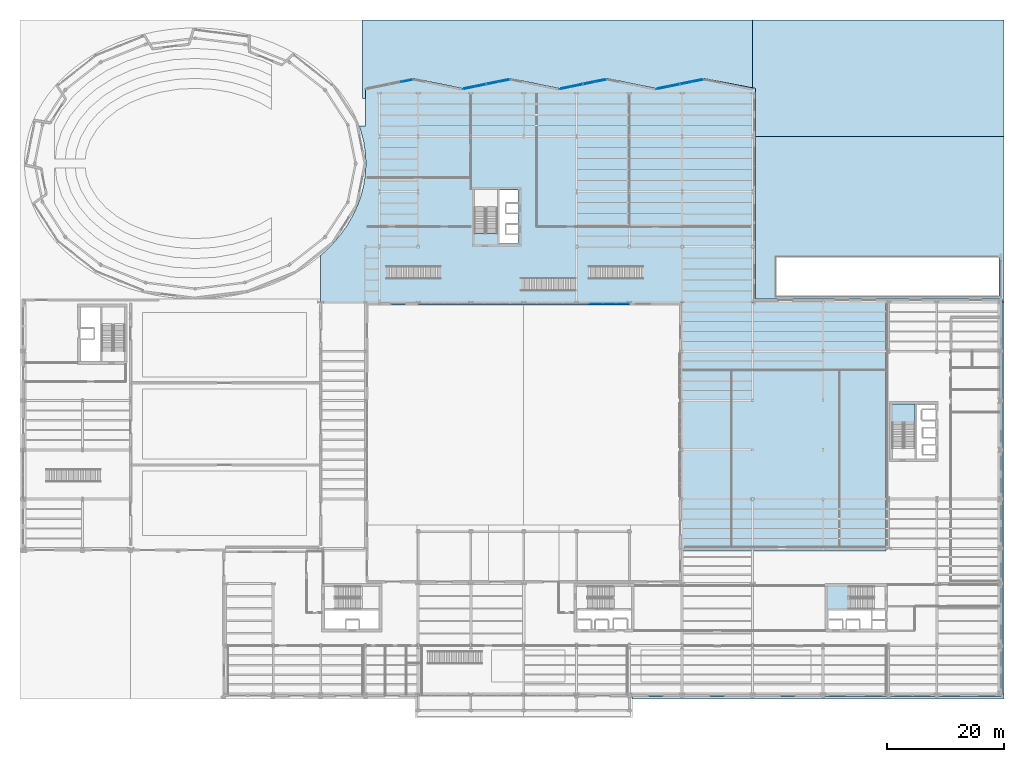
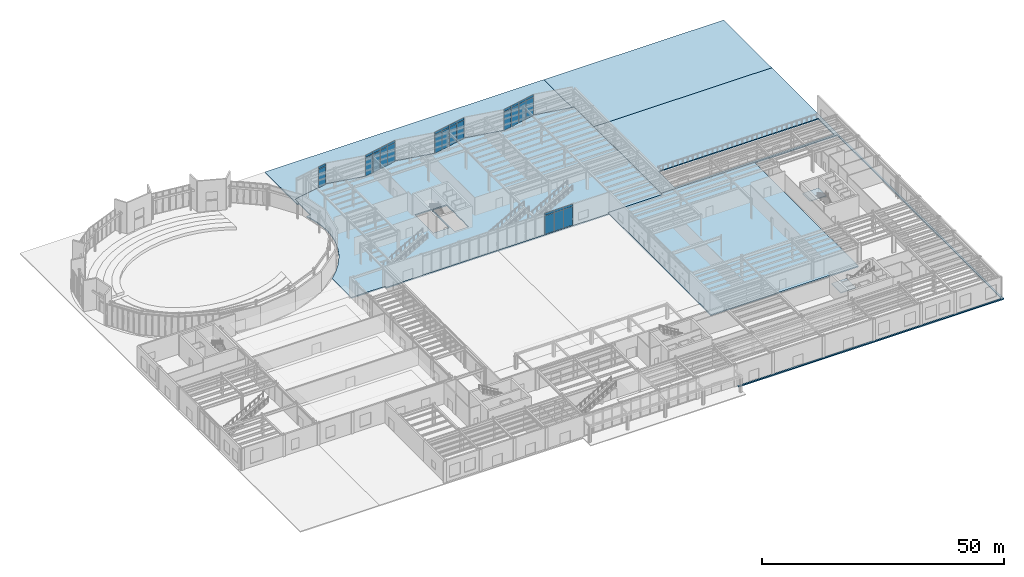
# One storey, part 68 of 94: 35 plates, 9 slabs, 11 elements without a shape of their own.
"""IFC4 building model written with IfcOpenShell, lengths in metres."""

from ifc_helpers import new_model, si_unit, direction, frame, origin, origin_2d, place, context, subcontext, project, spatial, polyline, rectangle, outline, extrude, material, layer, layer_set, type_object, element, aggregate, save


model = new_model("IFC4")

# Units and contexts
model_context = context("Model", 3, precision=1e-05, world=origin(), true_north=direction((0.0, 1.0)))
body_context = subcontext(model_context, "Body", "Model", "MODEL_VIEW")
ifc_project = project(units=[si_unit("LENGTHUNIT", "METRE"), si_unit("AREAUNIT", "SQUARE_METRE"), si_unit("VOLUMEUNIT", "CUBIC_METRE"), si_unit("PLANEANGLEUNIT", "RADIAN"), si_unit("MASSUNIT", "GRAM", prefix="KILO")], contexts=[model_context])

# Site, building, storey
site_placement = place(None, origin())
site = spatial("IfcSite", under=ifc_project, at=site_placement, CompositionType="ELEMENT")
building_placement = place(site_placement, origin())
building = spatial("IfcBuilding", under=site, at=building_placement, Name="Sollismere Congress Hotel", CompositionType="ELEMENT")
storey_placement = place(building_placement, origin())
storey = spatial("IfcBuildingStorey", under=building, at=storey_placement, Name="L00", CompositionType="ELEMENT", Elevation=0.0)

# Curtain wall, plate
ifc_material_1 = material(Name="Anodized Bronze Curtain Wall & Low-E Triple Glazing", Category="glass")
ifc_layer_1 = layer(ifc_material_1, 0.199951171875, Name="Anodized Bronze Curtain Wall & Low-E Triple Glazing")
ifc_layer_set_1 = layer_set([ifc_layer_1], Name="Anodized Bronze Curtain Wall & Low-E Triple Glazing")
curtain_wall_type = type_object("IfcCurtainWallType", Name="CW-GLZ36", PredefinedType="USERDEFINED", material=ifc_layer_set_1)
curtain_wall_1_placement = place(storey_placement, origin())
curtain_wall_1 = element("IfcCurtainWall", 1, at=curtain_wall_1_placement, inside=storey, type_object=curtain_wall_type, Name="Unitised curtain wall CW-L00-066", ObjectType="UNITISED CURTAIN WALL", PredefinedType="USERDEFINED")
ifc_material_2 = material(Name="Blue-Tinted Solar-Control Low-E Vision Glass", Category="glass")
ifc_layer_2 = layer(ifc_material_2, 0.035888671875, Name="Blue-Tinted Solar-Control Low-E Vision Glass")
ifc_layer_set_2 = layer_set([ifc_layer_2], Name="Blue-Tinted Solar-Control Low-E Vision Glass")
plate_type_1 = type_object("IfcPlateType", Name="PL-CWGLZ", PredefinedType="CURTAIN_PANEL", material=ifc_layer_set_2)
plate_1_placement = place(storey_placement, frame((65.11181640625, 104.467041015625, 0.052978515625), z_axis=(0.0, 0.0, 1.0), x_axis=(0.979924704621, 0.199367934417, 0.0)))
plate_1 = element("IfcPlate", 2, at=plate_1_placement, type_object=plate_type_1, Name="CWL-CW-L00-066-VP02", PredefinedType="CURTAIN_PANEL", context=body_context, shape_type="SweptSolid", body=[
    extrude(rectangle(XDim=1.955810546875, YDim=0.035888671875, at=origin_2d()), origin(), (0.0, 0.0, 1.0), 4.60888671875),
])

# Curtain wall, plates
curtain_wall_2_placement = place(storey_placement, origin())
curtain_wall_2 = element("IfcCurtainWall", 3, at=curtain_wall_2_placement, inside=storey, type_object=curtain_wall_type, Name="Unitised curtain wall CW-L00-067", ObjectType="UNITISED CURTAIN WALL", PredefinedType="USERDEFINED")
plate_2_placement = place(storey_placement, frame((75.63818359375, 103.25146484375, 0.052978515625), z_axis=(0.0, 0.0, 1.0), x_axis=(0.979924704621, 0.199367934417, 0.0)))
plate_2 = element("IfcPlate", 4, at=plate_2_placement, type_object=plate_type_1, Name="CWL-CW-L00-067-VP01", PredefinedType="CURTAIN_PANEL", context=body_context, shape_type="SweptSolid", body=[
    extrude(rectangle(XDim=1.955810546875, YDim=0.035888671875, at=origin_2d()), origin(), (0.0, 0.0, 1.0), 4.60888671875),
])
plate_3_placement = place(storey_placement, frame((77.6044921875, 103.651611328125, 0.052978515625), z_axis=(0.0, 0.0, 1.0), x_axis=(0.979924704621, 0.199367934417, 0.0)))
plate_3 = element("IfcPlate", 5, at=plate_3_placement, type_object=plate_type_1, Name="CWL-CW-L00-067-VP02", PredefinedType="CURTAIN_PANEL", context=body_context, shape_type="SweptSolid", body=[
    extrude(rectangle(XDim=1.955810546875, YDim=0.035888671875, at=origin_2d()), origin(), (0.0, 0.0, 1.0), 4.60888671875),
])

curtain_wall_3_placement = place(storey_placement, origin())
curtain_wall_3 = element("IfcCurtainWall", 6, at=curtain_wall_3_placement, inside=storey, type_object=curtain_wall_type, Name="Unitised curtain wall CW-L00-068", ObjectType="UNITISED CURTAIN WALL", PredefinedType="USERDEFINED")
plate_4_placement = place(storey_placement, frame((79.6455078125, 104.06689453125, 0.052978515625), z_axis=(0.0, 0.0, 1.0), x_axis=(0.979924704621, 0.199367934417, 0.0)))
plate_4 = element("IfcPlate", 7, at=plate_4_placement, type_object=plate_type_1, Name="CWL-CW-L00-068-VP01", PredefinedType="CURTAIN_PANEL", context=body_context, shape_type="SweptSolid", body=[
    extrude(rectangle(XDim=1.955810546875, YDim=0.035888671875, at=origin_2d()), origin(), (0.0, 0.0, 1.0), 4.60888671875),
])
plate_5_placement = place(storey_placement, frame((81.61181640625, 104.467041015625, 0.052978515625), z_axis=(0.0, 0.0, 1.0), x_axis=(0.979924704621, 0.199367934417, 0.0)))
plate_5 = element("IfcPlate", 8, at=plate_5_placement, type_object=plate_type_1, Name="CWL-CW-L00-068-VP02", PredefinedType="CURTAIN_PANEL", context=body_context, shape_type="SweptSolid", body=[
    extrude(rectangle(XDim=1.955810546875, YDim=0.035888671875, at=origin_2d()), origin(), (0.0, 0.0, 1.0), 4.60888671875),
])

curtain_wall_4_placement = place(storey_placement, origin())
curtain_wall_4 = element("IfcCurtainWall", 9, at=curtain_wall_4_placement, inside=storey, type_object=curtain_wall_type, Name="Unitised curtain wall CW-L00-069", ObjectType="UNITISED CURTAIN WALL", PredefinedType="USERDEFINED")
plate_6_placement = place(storey_placement, frame((92.13818359375, 103.25146484375, 0.052978515625), z_axis=(0.0, 0.0, 1.0), x_axis=(0.979924704621, 0.199367934417, 0.0)))
plate_6 = element("IfcPlate", 10, at=plate_6_placement, type_object=plate_type_1, Name="CWL-CW-L00-069-VP01", PredefinedType="CURTAIN_PANEL", context=body_context, shape_type="SweptSolid", body=[
    extrude(rectangle(XDim=1.955810546875, YDim=0.035888671875, at=origin_2d()), origin(), (0.0, 0.0, 1.0), 4.60888671875),
])
plate_7_placement = place(storey_placement, frame((94.1044921875, 103.651611328125, 0.052978515625), z_axis=(0.0, 0.0, 1.0), x_axis=(0.979924704621, 0.199367934417, 0.0)))
plate_7 = element("IfcPlate", 11, at=plate_7_placement, type_object=plate_type_1, Name="CWL-CW-L00-069-VP02", PredefinedType="CURTAIN_PANEL", context=body_context, shape_type="SweptSolid", body=[
    extrude(rectangle(XDim=1.955810546875, YDim=0.035888671875, at=origin_2d()), origin(), (0.0, 0.0, 1.0), 4.60888671875),
])

curtain_wall_5_placement = place(storey_placement, origin())
curtain_wall_5 = element("IfcCurtainWall", 12, at=curtain_wall_5_placement, inside=storey, type_object=curtain_wall_type, Name="Unitised curtain wall CW-L00-070", ObjectType="UNITISED CURTAIN WALL", PredefinedType="USERDEFINED")
plate_8_placement = place(storey_placement, frame((96.1455078125, 104.06689453125, 0.052978515625), z_axis=(0.0, 0.0, 1.0), x_axis=(0.979924704621, 0.199367934417, 0.0)))
plate_8 = element("IfcPlate", 13, at=plate_8_placement, type_object=plate_type_1, Name="CWL-CW-L00-070-VP01", PredefinedType="CURTAIN_PANEL", context=body_context, shape_type="SweptSolid", body=[
    extrude(rectangle(XDim=1.955810546875, YDim=0.035888671875, at=origin_2d()), origin(), (0.0, 0.0, 1.0), 4.60888671875),
])
plate_9_placement = place(storey_placement, frame((98.11181640625, 104.467041015625, 0.052978515625), z_axis=(0.0, 0.0, 1.0), x_axis=(0.979924704621, 0.199367934417, 0.0)))
plate_9 = element("IfcPlate", 14, at=plate_9_placement, type_object=plate_type_1, Name="CWL-CW-L00-070-VP02", PredefinedType="CURTAIN_PANEL", context=body_context, shape_type="SweptSolid", body=[
    extrude(rectangle(XDim=1.955810546875, YDim=0.035888671875, at=origin_2d()), origin(), (0.0, 0.0, 1.0), 4.60888671875),
])

curtain_wall_6_placement = place(storey_placement, origin())
curtain_wall_6 = element("IfcCurtainWall", 15, at=curtain_wall_6_placement, inside=storey, type_object=curtain_wall_type, Name="Unitised curtain wall CW-L00-071", ObjectType="UNITISED CURTAIN WALL", PredefinedType="USERDEFINED")
plate_10_placement = place(storey_placement, frame((108.63818359375, 103.25146484375, 0.052978515625), z_axis=(0.0, 0.0, 1.0), x_axis=(0.979924704621, 0.199367934417, 0.0)))
plate_10 = element("IfcPlate", 16, at=plate_10_placement, type_object=plate_type_1, Name="CWL-CW-L00-071-VP01", PredefinedType="CURTAIN_PANEL", context=body_context, shape_type="SweptSolid", body=[
    extrude(rectangle(XDim=1.955810546875, YDim=0.035888671875, at=origin_2d()), origin(), (0.0, 0.0, 1.0), 4.60888671875),
])
plate_11_placement = place(storey_placement, frame((110.6044921875, 103.651611328125, 0.052978515625), z_axis=(0.0, 0.0, 1.0), x_axis=(0.979924704621, 0.199367934417, 0.0)))
plate_11 = element("IfcPlate", 17, at=plate_11_placement, type_object=plate_type_1, Name="CWL-CW-L00-071-VP02", PredefinedType="CURTAIN_PANEL", context=body_context, shape_type="SweptSolid", body=[
    extrude(rectangle(XDim=1.955810546875, YDim=0.035888671875, at=origin_2d()), origin(), (0.0, 0.0, 1.0), 4.60888671875),
])

curtain_wall_7_placement = place(storey_placement, origin())
curtain_wall_7 = element("IfcCurtainWall", 18, at=curtain_wall_7_placement, inside=storey, type_object=curtain_wall_type, Name="Unitised curtain wall CW-L00-072", ObjectType="UNITISED CURTAIN WALL", PredefinedType="USERDEFINED")
plate_12_placement = place(storey_placement, frame((112.6455078125, 104.06689453125, 0.052978515625), z_axis=(0.0, 0.0, 1.0), x_axis=(0.979924704621, 0.199367934417, 0.0)))
plate_12 = element("IfcPlate", 19, at=plate_12_placement, type_object=plate_type_1, Name="CWL-CW-L00-072-VP01", PredefinedType="CURTAIN_PANEL", context=body_context, shape_type="SweptSolid", body=[
    extrude(rectangle(XDim=1.955810546875, YDim=0.035888671875, at=origin_2d()), origin(), (0.0, 0.0, 1.0), 4.60888671875),
])
plate_13_placement = place(storey_placement, frame((114.61181640625, 104.467041015625, 0.052978515625), z_axis=(0.0, 0.0, 1.0), x_axis=(0.979924704621, 0.199367934417, 0.0)))
plate_13 = element("IfcPlate", 20, at=plate_13_placement, type_object=plate_type_1, Name="CWL-CW-L00-072-VP02", PredefinedType="CURTAIN_PANEL", context=body_context, shape_type="SweptSolid", body=[
    extrude(rectangle(XDim=1.955810546875, YDim=0.035888671875, at=origin_2d()), origin(), (0.0, 0.0, 1.0), 4.60888671875),
])

# Curtain wall, plate
curtain_wall_8_placement = place(storey_placement, origin())
curtain_wall_8 = element("IfcCurtainWall", 21, at=curtain_wall_8_placement, inside=storey, type_object=curtain_wall_type, Name="Unitised curtain wall CW-L00-079", ObjectType="UNITISED CURTAIN WALL", PredefinedType="USERDEFINED")
plate_14_placement = place(storey_placement, frame((97.3583984375, 66.489990234375, 0.052978515625), z_axis=(0.0, 0.0, 1.0), x_axis=(1.0, 0.0, 0.0)))
plate_14 = element("IfcPlate", 22, at=plate_14_placement, type_object=plate_type_1, Name="CWL-CW-L00-079-VP02", PredefinedType="CURTAIN_PANEL", context=body_context, shape_type="SweptSolid", body=[
    extrude(rectangle(XDim=2.156005859375, YDim=0.035888671875, at=origin_2d()), origin(), (0.0, 0.0, 1.0), 4.60888671875),
])

# Curtain wall, plates
curtain_wall_9_placement = place(storey_placement, origin())
curtain_wall_9 = element("IfcCurtainWall", 23, at=curtain_wall_9_placement, inside=storey, type_object=curtain_wall_type, Name="Unitised curtain wall CW-L00-080", ObjectType="UNITISED CURTAIN WALL", PredefinedType="USERDEFINED")
plate_15_placement = place(storey_placement, frame((99.6416015625, 66.489990234375, 0.052978515625), z_axis=(0.0, 0.0, 1.0), x_axis=(1.0, 0.0, 0.0)))
plate_15 = element("IfcPlate", 24, at=plate_15_placement, type_object=plate_type_1, Name="CWL-CW-L00-080-VP01", PredefinedType="CURTAIN_PANEL", context=body_context, shape_type="SweptSolid", body=[
    extrude(rectangle(XDim=2.156005859375, YDim=0.035888671875, at=origin_2d()), origin(), (0.0, 0.0, 1.0), 4.60888671875),
])
plate_16_placement = place(storey_placement, frame((101.848388671875, 66.489990234375, 0.052978515625), z_axis=(0.0, 0.0, 1.0), x_axis=(1.0, 0.0, 0.0)))
plate_16 = element("IfcPlate", 25, at=plate_16_placement, type_object=plate_type_1, Name="CWL-CW-L00-080-VP02", PredefinedType="CURTAIN_PANEL", context=body_context, shape_type="SweptSolid", body=[
    extrude(rectangle(XDim=2.156005859375, YDim=0.035888671875, at=origin_2d()), origin(), (0.0, 0.0, 1.0), 4.60888671875),
])

# Plate
ifc_material_3 = material(Name="Anodized Bronze Insulated Spandrel Panel")
ifc_layer_3 = layer(ifc_material_3, 0.044921875, Name="Anodized Bronze Insulated Spandrel Panel")
ifc_layer_set_3 = layer_set([ifc_layer_3], Name="Anodized Bronze Insulated Spandrel Panel")
plate_type_2 = type_object("IfcPlateType", Name="PL-CWSPN", PredefinedType="SHEET", material=ifc_layer_set_3)
plate_17_placement = place(storey_placement, frame((65.11181640625, 104.467041015625, 4.77783203125), z_axis=(0.0, 0.0, 1.0), x_axis=(0.979924704621, 0.199367934417, 0.0)))
plate_17 = element("IfcPlate", 26, at=plate_17_placement, type_object=plate_type_2, Name="CWL-CW-L00-066-SP02", PredefinedType="SHEET", context=body_context, shape_type="SweptSolid", body=[
    extrude(rectangle(XDim=1.955810546875, YDim=0.044921875, at=origin_2d()), origin(), (0.0, 0.0, 1.0), 0.569091796875),
])

aggregate(curtain_wall_1, [plate_1, plate_17])

plate_18_placement = place(storey_placement, frame((75.63818359375, 103.25146484375, 4.77783203125), z_axis=(0.0, 0.0, 1.0), x_axis=(0.979924704621, 0.199367934417, 0.0)))
plate_18 = element("IfcPlate", 27, at=plate_18_placement, type_object=plate_type_2, Name="CWL-CW-L00-067-SP01", PredefinedType="SHEET", context=body_context, shape_type="SweptSolid", body=[
    extrude(rectangle(XDim=1.955810546875, YDim=0.044921875, at=origin_2d()), origin(), (0.0, 0.0, 1.0), 0.569091796875),
])

plate_19_placement = place(storey_placement, frame((77.6044921875, 103.651611328125, 4.77783203125), z_axis=(0.0, 0.0, 1.0), x_axis=(0.979924704621, 0.199367934417, 0.0)))
plate_19 = element("IfcPlate", 28, at=plate_19_placement, type_object=plate_type_2, Name="CWL-CW-L00-067-SP02", PredefinedType="SHEET", context=body_context, shape_type="SweptSolid", body=[
    extrude(rectangle(XDim=1.955810546875, YDim=0.044921875, at=origin_2d()), origin(), (0.0, 0.0, 1.0), 0.569091796875),
])

aggregate(curtain_wall_2, [plate_2, plate_18, plate_3, plate_19])

plate_20_placement = place(storey_placement, frame((79.6455078125, 104.06689453125, 4.77783203125), z_axis=(0.0, 0.0, 1.0), x_axis=(0.979924704621, 0.199367934417, 0.0)))
plate_20 = element("IfcPlate", 29, at=plate_20_placement, type_object=plate_type_2, Name="CWL-CW-L00-068-SP01", PredefinedType="SHEET", context=body_context, shape_type="SweptSolid", body=[
    extrude(rectangle(XDim=1.955810546875, YDim=0.044921875, at=origin_2d()), origin(), (0.0, 0.0, 1.0), 0.569091796875),
])

plate_21_placement = place(storey_placement, frame((81.61181640625, 104.467041015625, 4.77783203125), z_axis=(0.0, 0.0, 1.0), x_axis=(0.979924704621, 0.199367934417, 0.0)))
plate_21 = element("IfcPlate", 30, at=plate_21_placement, type_object=plate_type_2, Name="CWL-CW-L00-068-SP02", PredefinedType="SHEET", context=body_context, shape_type="SweptSolid", body=[
    extrude(rectangle(XDim=1.955810546875, YDim=0.044921875, at=origin_2d()), origin(), (0.0, 0.0, 1.0), 0.569091796875),
])

aggregate(curtain_wall_3, [plate_4, plate_20, plate_5, plate_21])

plate_22_placement = place(storey_placement, frame((92.13818359375, 103.25146484375, 4.77783203125), z_axis=(0.0, 0.0, 1.0), x_axis=(0.979924704621, 0.199367934417, 0.0)))
plate_22 = element("IfcPlate", 31, at=plate_22_placement, type_object=plate_type_2, Name="CWL-CW-L00-069-SP01", PredefinedType="SHEET", context=body_context, shape_type="SweptSolid", body=[
    extrude(rectangle(XDim=1.955810546875, YDim=0.044921875, at=origin_2d()), origin(), (0.0, 0.0, 1.0), 0.569091796875),
])

plate_23_placement = place(storey_placement, frame((94.1044921875, 103.651611328125, 4.77783203125), z_axis=(0.0, 0.0, 1.0), x_axis=(0.979924704621, 0.199367934417, 0.0)))
plate_23 = element("IfcPlate", 32, at=plate_23_placement, type_object=plate_type_2, Name="CWL-CW-L00-069-SP02", PredefinedType="SHEET", context=body_context, shape_type="SweptSolid", body=[
    extrude(rectangle(XDim=1.955810546875, YDim=0.044921875, at=origin_2d()), origin(), (0.0, 0.0, 1.0), 0.569091796875),
])

aggregate(curtain_wall_4, [plate_6, plate_22, plate_7, plate_23])

plate_24_placement = place(storey_placement, frame((96.1455078125, 104.06689453125, 4.77783203125), z_axis=(0.0, 0.0, 1.0), x_axis=(0.979924704621, 0.199367934417, 0.0)))
plate_24 = element("IfcPlate", 33, at=plate_24_placement, type_object=plate_type_2, Name="CWL-CW-L00-070-SP01", PredefinedType="SHEET", context=body_context, shape_type="SweptSolid", body=[
    extrude(rectangle(XDim=1.955810546875, YDim=0.044921875, at=origin_2d()), origin(), (0.0, 0.0, 1.0), 0.569091796875),
])

plate_25_placement = place(storey_placement, frame((98.11181640625, 104.467041015625, 4.77783203125), z_axis=(0.0, 0.0, 1.0), x_axis=(0.979924704621, 0.199367934417, 0.0)))
plate_25 = element("IfcPlate", 34, at=plate_25_placement, type_object=plate_type_2, Name="CWL-CW-L00-070-SP02", PredefinedType="SHEET", context=body_context, shape_type="SweptSolid", body=[
    extrude(rectangle(XDim=1.955810546875, YDim=0.044921875, at=origin_2d()), origin(), (0.0, 0.0, 1.0), 0.569091796875),
])

aggregate(curtain_wall_5, [plate_8, plate_24, plate_9, plate_25])

plate_26_placement = place(storey_placement, frame((108.63818359375, 103.25146484375, 4.77783203125), z_axis=(0.0, 0.0, 1.0), x_axis=(0.979924704621, 0.199367934417, 0.0)))
plate_26 = element("IfcPlate", 35, at=plate_26_placement, type_object=plate_type_2, Name="CWL-CW-L00-071-SP01", PredefinedType="SHEET", context=body_context, shape_type="SweptSolid", body=[
    extrude(rectangle(XDim=1.955810546875, YDim=0.044921875, at=origin_2d()), origin(), (0.0, 0.0, 1.0), 0.569091796875),
])

plate_27_placement = place(storey_placement, frame((110.6044921875, 103.651611328125, 4.77783203125), z_axis=(0.0, 0.0, 1.0), x_axis=(0.979924704621, 0.199367934417, 0.0)))
plate_27 = element("IfcPlate", 36, at=plate_27_placement, type_object=plate_type_2, Name="CWL-CW-L00-071-SP02", PredefinedType="SHEET", context=body_context, shape_type="SweptSolid", body=[
    extrude(rectangle(XDim=1.955810546875, YDim=0.044921875, at=origin_2d()), origin(), (0.0, 0.0, 1.0), 0.569091796875),
])

aggregate(curtain_wall_6, [plate_10, plate_26, plate_11, plate_27])

plate_28_placement = place(storey_placement, frame((112.6455078125, 104.06689453125, 4.77783203125), z_axis=(0.0, 0.0, 1.0), x_axis=(0.979924704621, 0.199367934417, 0.0)))
plate_28 = element("IfcPlate", 37, at=plate_28_placement, type_object=plate_type_2, Name="CWL-CW-L00-072-SP01", PredefinedType="SHEET", context=body_context, shape_type="SweptSolid", body=[
    extrude(rectangle(XDim=1.955810546875, YDim=0.044921875, at=origin_2d()), origin(), (0.0, 0.0, 1.0), 0.569091796875),
])

plate_29_placement = place(storey_placement, frame((114.61181640625, 104.467041015625, 4.77783203125), z_axis=(0.0, 0.0, 1.0), x_axis=(0.979924704621, 0.199367934417, 0.0)))
plate_29 = element("IfcPlate", 38, at=plate_29_placement, type_object=plate_type_2, Name="CWL-CW-L00-072-SP02", PredefinedType="SHEET", context=body_context, shape_type="SweptSolid", body=[
    extrude(rectangle(XDim=1.955810546875, YDim=0.044921875, at=origin_2d()), origin(), (0.0, 0.0, 1.0), 0.569091796875),
])

aggregate(curtain_wall_7, [plate_12, plate_28, plate_13, plate_29])

plate_30_placement = place(storey_placement, frame((97.3583984375, 66.489990234375, 4.77783203125), z_axis=(0.0, 0.0, 1.0), x_axis=(1.0, 0.0, 0.0)))
plate_30 = element("IfcPlate", 39, at=plate_30_placement, type_object=plate_type_2, Name="CWL-CW-L00-079-SP02", PredefinedType="SHEET", context=body_context, shape_type="SweptSolid", body=[
    extrude(rectangle(XDim=2.156005859375, YDim=0.044921875, at=origin_2d()), origin(), (0.0, 0.0, 1.0), 0.569091796875),
])

aggregate(curtain_wall_8, [plate_14, plate_30])

plate_31_placement = place(storey_placement, frame((99.6416015625, 66.489990234375, 4.77783203125), z_axis=(0.0, 0.0, 1.0), x_axis=(1.0, 0.0, 0.0)))
plate_31 = element("IfcPlate", 40, at=plate_31_placement, type_object=plate_type_2, Name="CWL-CW-L00-080-SP01", PredefinedType="SHEET", context=body_context, shape_type="SweptSolid", body=[
    extrude(rectangle(XDim=2.156005859375, YDim=0.044921875, at=origin_2d()), origin(), (0.0, 0.0, 1.0), 0.569091796875),
])

plate_32_placement = place(storey_placement, frame((101.848388671875, 66.489990234375, 4.77783203125), z_axis=(0.0, 0.0, 1.0), x_axis=(1.0, 0.0, 0.0)))
plate_32 = element("IfcPlate", 41, at=plate_32_placement, type_object=plate_type_2, Name="CWL-CW-L00-080-SP02", PredefinedType="SHEET", context=body_context, shape_type="SweptSolid", body=[
    extrude(rectangle(XDim=2.156005859375, YDim=0.044921875, at=origin_2d()), origin(), (0.0, 0.0, 1.0), 0.569091796875),
])

aggregate(curtain_wall_9, [plate_15, plate_31, plate_16, plate_32])

# Plates
ifc_material_4 = material(Name="Perforated Architectural Bronze Sebeke Screen")
ifc_layer_4 = layer(ifc_material_4, 0.0380859375, Name="Perforated Architectural Bronze Sebeke Screen")
ifc_layer_set_4 = layer_set([ifc_layer_4], Name="Perforated Architectural Bronze Sebeke Screen")
plate_type_3 = type_object("IfcPlateType", Name="PL-SBK32", PredefinedType="USERDEFINED", material=ifc_layer_set_4)
for number, where, z_axis, x_axis, name in (
    (42, (78.60107421875, 103.976806640625, 1.79052734375), (0.0, 0.0, 1.0), (0.979924704621, 0.199367934417, 0.0), "PLT-SBK-003"),
    (43, (95.10107421875, 103.976806640625, 1.79052734375), (0.0, 0.0, 1.0), (0.979924704621, 0.199367934417, 0.0), "PLT-SBK-004"),
    (44, (111.60107421875, 103.976806640625, 1.79052734375), (0.0, 0.0, 1.0), (0.979924704621, 0.199367934417, 0.0), "PLT-SBK-005"),
):
    element("IfcPlate", number, at=place(storey_placement, frame(where, z_axis=z_axis, x_axis=x_axis)), inside=storey, type_object=plate_type_3, Name=name, ObjectType="PERFORATED SCREEN", PredefinedType="USERDEFINED", context=body_context, shape_type="SweptSolid", body=[
        extrude(rectangle(XDim=7.618896484375, YDim=0.0380859375, at=origin_2d()), origin(), (0.0, 0.0, 1.0), 2.761962890625),
    ])

# Slabs
ifc_material_5 = material(Name="Concrete C40/50", Category="concrete")
ifc_layer_5 = layer(ifc_material_5, 0.300048828125, Name="Concrete C40/50")
ifc_layer_set_5 = layer_set([ifc_layer_5], Name="Concrete C40/50")
slab_type_1 = type_object("IfcSlabType", Name="SL-FLR300", PredefinedType="FLOOR", material=ifc_layer_set_5)
slab_1_placement = place(storey_placement, frame((0.0, 0.0, -0.300048828125)))
element("IfcSlab", 45, at=slab_1_placement, inside=storey, type_object=slab_type_1, Name="Slab SL-L00-V2", PredefinedType="FLOOR", context=body_context, shape_type="SweptSolid", body=[
    extrude(outline(polyline([(58.47998046875, 66.320068359375), (111.52001953125, 66.320068359375), (111.52001953125, 66.800048828125), (124.47998046875, 66.800048828125), (124.47998046875, 103.199951171875), (115.75, 104.87841796875), (107.5, 103.199951171875), (99.25, 104.87841796875), (91.0, 103.199951171875), (82.75, 104.87841796875), (74.5, 103.199951171875), (66.25, 104.87841796875), (58.0, 103.199951171875), (58.0, 96.800048828125), (56.94873046875, 96.800048828125), (57.3056640625, 95.794921875), (57.751708984375, 94.01513671875), (58.020263671875, 92.212890625), (58.110107421875, 90.3994140625), (58.020263671875, 88.586181640625), (57.75146484375, 86.783935546875), (57.305419921875, 85.004150390625), (56.684814453125, 83.257568359375), (55.8935546875, 81.554931640625), (54.9365234375, 79.906982421875), (53.819580078125, 78.323974609375), (52.549560546875, 76.815185546875), (51.13427734375, 75.39013671875), (50.39990234375, 74.759521484375), (50.39990234375, 66.800048828125), (58.0, 66.800048828125), (58.47998046875, 66.800048828125), (58.47998046875, 66.320068359375)]), holes=[polyline([(84.06005859375, 76.739990234375), (80.77001953125, 76.739990234375), (80.77001953125, 85.860107421875), (84.06005859375, 85.860107421875), (84.06005859375, 83.570068359375), (84.14501953125, 83.570068359375), (84.14501953125, 82.030029296875), (84.06005859375, 82.030029296875), (84.06005859375, 79.969970703125), (84.14501953125, 79.969970703125), (84.14501953125, 78.429931640625), (84.06005859375, 78.429931640625), (84.06005859375, 76.739990234375)]), polyline([(76.60009765625, 86.0), (80.5, 86.0), (80.5, 78.45068359375), (76.60009765625, 78.45068359375), (76.60009765625, 86.0)])]), origin(), (0.0, 0.0, 1.0), 0.300048828125),
])
slab_2_placement = place(storey_placement, frame((0.0, 0.0, -0.300048828125)))
element("IfcSlab", 46, at=slab_2_placement, inside=storey, type_object=slab_type_1, Name="Slab SL-L00-V4", PredefinedType="FLOOR", context=body_context, shape_type="SweptSolid", body=[
    extrude(outline(polyline([(124.5, 24.320068359375), (146.719970703125, 24.320068359375), (146.719970703125, 67.280029296875), (124.5, 67.280029296875), (124.5, 66.7900390625), (111.52001953125, 66.7900390625), (111.52001953125, 24.320068359375), (124.5, 24.320068359375)])), origin(), (0.0, 0.0, 1.0), 0.300048828125),
])

# Stair, slab
stair_type = type_object("IfcStairType", Name="STR-DL-540", PredefinedType="HALF_TURN_STAIR", material=ifc_material_5)
stair_1_placement = place(storey_placement, origin())
stair_1 = element("IfcStair", 47, at=stair_1_placement, inside=storey, type_object=stair_type, Name="Protected exit stair ST-01-L00", PredefinedType="HALF_TURN_STAIR")
ifc_layer_6 = layer(ifc_material_5, 0.199951171875, Name="Concrete C40/50")
ifc_layer_set_6 = layer_set([ifc_layer_6], Name="Concrete C40/50")
slab_type_2 = type_object("IfcSlabType", Name="SL-LND200", PredefinedType="LANDING", material=ifc_layer_set_6)
slab_3_placement = place(storey_placement, frame((0.0, 0.0, 2.5)))
slab_3 = element("IfcSlab", 48, at=slab_3_placement, type_object=slab_type_2, Name="Exit stair half-landing ST-01-L00-L1", PredefinedType="LANDING", context=body_context, shape_type="SweptSolid", body=[
    extrude(outline(polyline([(140.39990234375, 18.35009765625), (136.800048828125, 18.35009765625), (136.800048828125, 14.449951171875), (140.39990234375, 14.449951171875), (140.39990234375, 18.35009765625)])), origin(), (0.0, 0.0, 1.0), 0.199951171875),
])
aggregate(stair_1, [slab_3])

stair_2_placement = place(storey_placement, origin())
stair_2 = element("IfcStair", 49, at=stair_2_placement, inside=storey, type_object=stair_type, Name="Protected exit stair ST-03-L00", PredefinedType="HALF_TURN_STAIR")
slab_4_placement = place(storey_placement, frame((0.0, 0.0, 2.5)))
slab_4 = element("IfcSlab", 50, at=slab_4_placement, type_object=slab_type_2, Name="Exit stair half-landing ST-03-L00-L1", PredefinedType="LANDING", context=body_context, shape_type="SweptSolid", body=[
    extrude(outline(polyline([(151.699951171875, 46.199951171875), (151.699951171875, 49.39990234375), (147.800048828125, 49.39990234375), (147.800048828125, 46.199951171875), (151.699951171875, 46.199951171875)])), origin(), (0.0, 0.0, 1.0), 0.199951171875),
])
aggregate(stair_2, [slab_4])

# Slabs
ifc_material_6 = material(Name="Precast Concrete C40/50", Category="concrete")
ifc_layer_7 = layer(ifc_material_6, 0.264892578125, Name="Precast Concrete C40/50")
ifc_layer_set_7 = layer_set([ifc_layer_7], Name="Precast Concrete C40/50")
slab_type_3 = type_object("IfcSlabType", Name="SL-PAV150", PredefinedType="USERDEFINED", material=ifc_layer_set_7)
slab_5_placement = place(storey_placement, frame((0.0, 0.0, -0.264892578125)))
element("IfcSlab", 51, at=slab_5_placement, inside=storey, type_object=slab_type_3, Name="Slab SL-L00-PV2S", ObjectType="EXTERIOR PAVING", PredefinedType="USERDEFINED", context=body_context, shape_type="SweptSolid", body=[
    extrude(outline(polyline([(166.85009765625, 66.800048828125), (166.85009765625, 95.0), (124.47998046875, 95.0), (124.5, 66.800048828125), (124.5, 67.280029296875), (146.719970703125, 67.280029296875), (166.47998046875, 67.280029296875), (166.47998046875, 66.800048828125), (166.85009765625, 66.800048828125)]), holes=[polyline([(127.989990234375, 74.409912109375), (166.010009765625, 74.409912109375), (166.010009765625, 67.7900390625), (127.989990234375, 67.7900390625), (127.989990234375, 74.409912109375)])]), origin(), (0.0, 0.0, 1.0), 0.264892578125),
])
slab_6_placement = place(storey_placement, frame((0.0, 0.0, -0.264892578125)))
element("IfcSlab", 52, at=slab_6_placement, inside=storey, type_object=slab_type_3, Name="Slab SL-L00-PV2N", ObjectType="EXTERIOR PAVING", PredefinedType="USERDEFINED", context=body_context, shape_type="SweptSolid", body=[
    extrude(outline(polyline([(166.85009765625, 114.85009765625), (124.0, 114.85009765625), (124.0, 103.292236328125), (124.47998046875, 103.199951171875), (124.47998046875, 95.0), (166.85009765625, 95.0), (166.85009765625, 114.85009765625)])), origin(), (0.0, 0.0, 1.0), 0.264892578125),
])
slab_7_placement = place(storey_placement, frame((0.0, 0.0, -0.264892578125)))
element("IfcSlab", 53, at=slab_7_placement, inside=storey, type_object=slab_type_3, Name="Slab SL-L00-PV4N", ObjectType="EXTERIOR PAVING", PredefinedType="USERDEFINED", context=body_context, shape_type="SweptSolid", body=[
    extrude(outline(polyline([(124.0, 103.292236328125), (124.0, 114.85009765625), (57.5, 114.85009765625), (57.5, 101.5), (58.0, 101.5), (58.0, 103.199951171875), (66.25, 104.87841796875), (74.5, 103.199951171875), (82.75, 104.87841796875), (91.0, 103.199951171875), (99.25, 104.87841796875), (107.5, 103.199951171875), (115.75, 104.87841796875), (124.0, 103.292236328125)])), origin(), (0.0, 0.0, 1.0), 0.264892578125),
])
slab_8_placement = place(storey_placement, frame((0.0, 0.0, -0.264892578125)))
element("IfcSlab", 54, at=slab_8_placement, inside=storey, type_object=slab_type_3, Name="Slab SL-L00-PV5S2", ObjectType="EXTERIOR PAVING", PredefinedType="USERDEFINED", context=body_context, shape_type="SweptSolid", body=[
    extrude(outline(polyline([(103.5, -0.47998046875), (103.5, -0.85009765625), (166.85009765625, -0.85009765625), (166.85009765625, 0.0), (166.47998046875, 0.0), (166.47998046875, -0.47998046875), (103.5, -0.47998046875)])), origin(), (0.0, 0.0, 1.0), 0.264892578125),
])
slab_9_placement = place(storey_placement, frame((0.0, 0.0, -0.264892578125)))
element("IfcSlab", 55, at=slab_9_placement, inside=storey, type_object=slab_type_3, Name="Slab SL-L00-PVR2", ObjectType="EXTERIOR PAVING", PredefinedType="USERDEFINED", context=body_context, shape_type="SweptSolid", body=[
    extrude(outline(polyline([(166.47998046875, 66.800048828125), (166.47998046875, 19.280029296875), (166.47998046875, 0.0), (166.85009765625, 0.0), (166.85009765625, 66.800048828125), (166.47998046875, 66.800048828125)])), origin(), (0.0, 0.0, 1.0), 0.264892578125),
])

save(model, "model.ifc")
